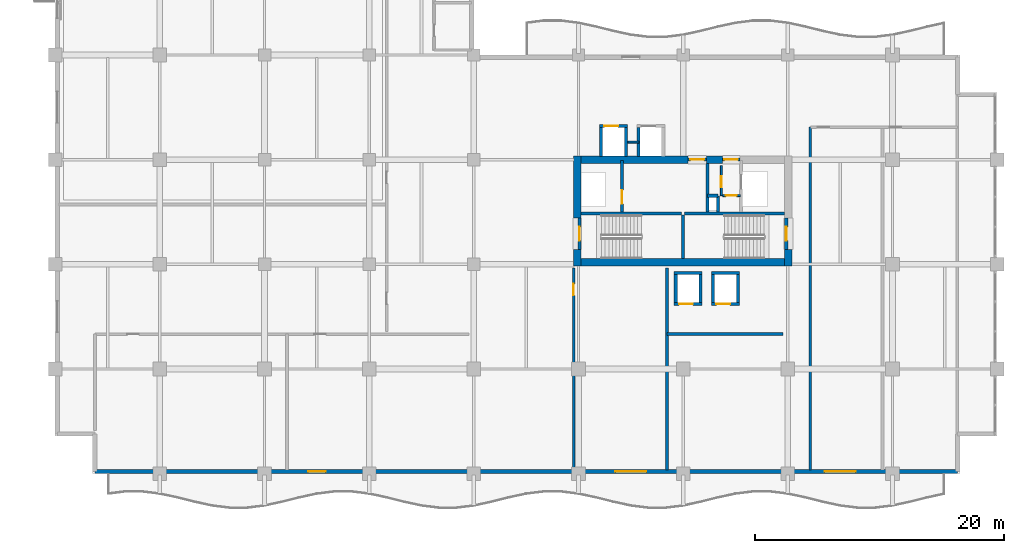
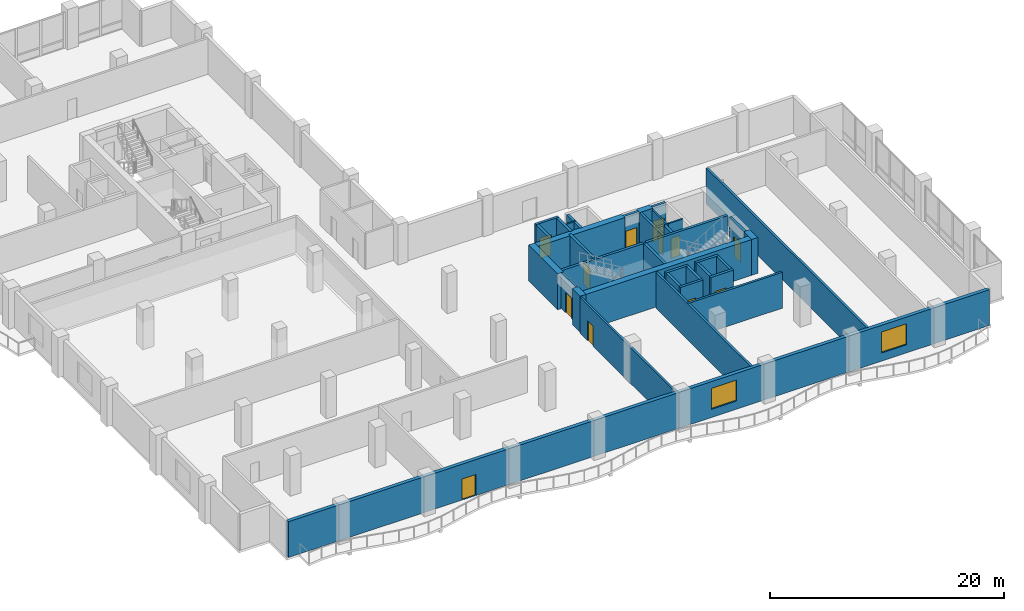
# One storey, part 11 of 21: 37 walls, 12 doors, 2 windows, 14 openings.
"""IFC4 building model written with IfcOpenShell, lengths in metres."""

from ifc_helpers import new_model, si_unit, direction, frame, frame_2d, origin, place, context, subcontext, project, spatial, rectangle, extrude, material, layer, layer_set, type_object, element, fill, save


model = new_model("IFC4")

# Units and contexts
model_context = context("Model", 3, precision=1e-05, world=origin(), true_north=direction((0.0, 1.0)))
body_context = subcontext(model_context, "Body", "Model", "MODEL_VIEW")
ifc_project = project(units=[si_unit("LENGTHUNIT", "METRE"), si_unit("AREAUNIT", "SQUARE_METRE"), si_unit("VOLUMEUNIT", "CUBIC_METRE"), si_unit("PLANEANGLEUNIT", "RADIAN"), si_unit("MASSUNIT", "GRAM", prefix="KILO")], contexts=[model_context])

# Site, building, storey
site_placement = place(None, origin())
site = spatial("IfcSite", under=ifc_project, at=site_placement, CompositionType="ELEMENT")
building_placement = place(site_placement, origin())
building = spatial("IfcBuilding", under=site, at=building_placement, Name="Koriwani Terraces Tower", CompositionType="ELEMENT")
storey_placement = place(building_placement, frame((0.0, 0.0, 224.0)))
storey = spatial("IfcBuildingStorey", under=building, at=storey_placement, Name="L55", CompositionType="ELEMENT", Elevation=224.0)

# Walls
ifc_material_1 = material(Name="Concrete C60/75", Category="concrete")
ifc_layer_1 = layer(ifc_material_1, 0.60009765625, Name="Concrete C60/75")
ifc_layer_set_1 = layer_set([ifc_layer_1], Name="Concrete C60/75")
wall_type_1 = type_object("IfcWallType", Name="WALL_CORE_RC_600", PredefinedType="SHEAR", material=ifc_layer_set_1)
wall_1_placement = place(storey_placement, frame((41.89990234375, 16.64990234375, 0.0), z_axis=(0.0, 0.0, 1.0), x_axis=(0.0, 1.0, 0.0)))
element("IfcWall", 1, at=wall_1_placement, inside=storey, type_object=wall_type_1, Name="L55 East Split Core Shear Wall W1", PredefinedType="SHEAR", context=body_context, shape_type="SweptSolid", body=[
    extrude(rectangle(XDim=1.35009765625, YDim=0.60009765625, at=frame_2d((0.675048828125, 0.0))), origin(), (0.0, 0.0, 1.0), 3.75),
])
wall_2_placement = place(storey_placement, frame((41.89990234375, 20.5, 0.0), z_axis=(0.0, 0.0, 1.0), x_axis=(0.0, 1.0, 0.0)))
element("IfcWall", 2, at=wall_2_placement, inside=storey, type_object=wall_type_1, Name="L55 East Split Core Shear Wall W2", PredefinedType="SHEAR", context=body_context, shape_type="SweptSolid", body=[
    extrude(rectangle(XDim=5.0, YDim=0.60009765625, at=frame_2d((2.5, 0.0))), origin(), (0.0, 0.0, 1.0), 3.75),
])
wall_3_placement = place(storey_placement, frame((58.85009765625, 16.64990234375, 0.0), z_axis=(0.0, 0.0, 1.0), x_axis=(0.0, 1.0, 0.0)))
element("IfcWall", 3, at=wall_3_placement, inside=storey, type_object=wall_type_1, Name="L55 East Split Core Shear Wall E1", PredefinedType="SHEAR", context=body_context, shape_type="SweptSolid", body=[
    extrude(rectangle(XDim=1.35009765625, YDim=0.60009765625, at=frame_2d((0.675048828125, 0.0))), origin(), (0.0, 0.0, 1.0), 3.75),
])
wall_4_placement = place(storey_placement, frame((42.199951171875, 16.949951171875, 0.0), z_axis=(0.0, 0.0, 1.0), x_axis=(1.0, 0.0, 0.0)))
element("IfcWall", 4, at=wall_4_placement, inside=storey, type_object=wall_type_1, Name="L55 East Split Core Shear Wall S1", PredefinedType="SHEAR", context=body_context, shape_type="SweptSolid", body=[
    extrude(rectangle(XDim=16.35009765625, YDim=0.60009765625, at=frame_2d((8.175048828125, 0.0))), origin(), (0.0, 0.0, 1.0), 3.75),
])
wall_5_placement = place(storey_placement, frame((42.199951171875, 25.199951171875, 0.0), z_axis=(0.0, 0.0, 1.0), x_axis=(1.0, 0.0, 0.0)))
element("IfcWall", 5, at=wall_5_placement, inside=storey, type_object=wall_type_1, Name="L55 East Split Core Shear Wall N1", PredefinedType="SHEAR", context=body_context, shape_type="SweptSolid", body=[
    extrude(rectangle(XDim=8.60009765625, YDim=0.60009765625, at=frame_2d((4.300048828125, 0.0))), origin(), (0.0, 0.0, 1.0), 3.75),
])
wall_6_placement = place(storey_placement, frame((52.280029296875, 25.199951171875, 0.0), z_axis=(0.0, 0.0, 1.0), x_axis=(1.0, 0.0, 0.0)))
element("IfcWall", 6, at=wall_6_placement, inside=storey, type_object=wall_type_1, Name="L55 East Split Core Shear Wall N2", PredefinedType="SHEAR", context=body_context, shape_type="SweptSolid", body=[
    extrude(rectangle(XDim=1.27001953125, YDim=0.60009765625, at=frame_2d((0.635009765625, 0.0))), origin(), (0.0, 0.0, 1.0), 3.75),
])

# Wall, opening, door
ifc_material_2 = material(Name="Autoclaved Cellular Concrete Blockwork", Category="masonry")
ifc_layer_2 = layer(ifc_material_2, 0.199951171875, Name="Autoclaved Cellular Concrete Blockwork")
ifc_layer_set_2 = layer_set([ifc_layer_2], Name="Autoclaved Cellular Concrete Blockwork")
wall_type_2 = type_object("IfcWallType", Name="WALL_CORRIDOR_200", PredefinedType="PARTITIONING", material=ifc_layer_set_2)
wall_7_placement = place(storey_placement, frame((41.60009765625, 0.300048828125, 0.0), z_axis=(0.0, 0.0, 1.0), x_axis=(0.0, 1.0, 0.0)))
wall_7 = element("IfcWall", 7, at=wall_7_placement, inside=storey, type_object=wall_type_2, Name="L55 Interior Wall WSKY-RECE1-L55", PredefinedType="PARTITIONING", context=body_context, shape_type="SweptSolid", body=[
    extrude(rectangle(XDim=16.199951171875, YDim=0.199951171875, at=frame_2d((8.10009765625, 0.0))), origin(), (0.0, 0.0, 1.0), 3.75),
])
opening_1_placement = place(wall_7_placement, frame((14.0, 0.0, 0.0)))
opening_1 = element("IfcOpeningElement", 8, at=opening_1_placement, cuts=wall_7, Name="Opening D-06", PredefinedType="OPENING", context=body_context, shape_type="SweptSolid", body=[
    extrude(rectangle(XDim=0.919921875, YDim=2.10009765625, at=frame_2d((0.4599609375, 1.050048828125))), frame((0.0, 0.10986328125, 0.0), z_axis=(0.0, -1.0, 0.0), x_axis=(1.0, 0.0, 0.0)), (0.0, 0.0, 1.0), 0.219970703125),
])
ifc_material_3 = material(Name="Architectural Oak Fire Door", Category="wood")
door_type_1 = type_object("IfcDoorType", Name="DOOR_ROOM_INT_920X2100", OperationType="NOTDEFINED", PredefinedType="DOOR", material=ifc_material_3)
door_1_placement = place(opening_1_placement, origin())
door_1 = element("IfcDoor", 9, at=door_1_placement, inside=storey, type_object=door_type_1, Name="L55 VIP Tasting Salon Door", OperationType="SINGLE_SWING_RIGHT", OverallHeight=2.10009765625, OverallWidth=0.919921875, PredefinedType="DOOR", context=body_context, shape_type="SweptSolid", body=[
    extrude(rectangle(XDim=0.919921875, YDim=2.10009765625, at=frame_2d((0.4599609375, 1.050048828125))), frame((0.0, 0.02490234375, 0.0), z_axis=(0.0, -1.0, 0.0), x_axis=(1.0, 0.0, 0.0)), (0.0, 0.0, 1.0), 0.050048828125),
])
fill(opening_1, door_1)

# Walls
ifc_layer_3 = layer(ifc_material_2, 0.219970703125, Name="Autoclaved Cellular Concrete Blockwork")
ifc_layer_set_3 = layer_set([ifc_layer_3], Name="Autoclaved Cellular Concrete Blockwork")
wall_type_3 = type_object("IfcWallType", Name="WALL_DEMISING_220", PredefinedType="PARTITIONING", material=ifc_layer_set_3)
wall_8_placement = place(storey_placement, frame((49.10009765625, 0.300048828125, 0.0), z_axis=(0.0, 0.0, 1.0), x_axis=(0.0, 1.0, 0.0)))
element("IfcWall", 10, at=wall_8_placement, inside=storey, type_object=wall_type_3, Name="L55 Interior Wall WSKY-RECE2-L55", PredefinedType="PARTITIONING", context=body_context, shape_type="SweptSolid", body=[
    extrude(rectangle(XDim=16.199951171875, YDim=0.219970703125, at=frame_2d((8.10009765625, 0.0))), origin(), (0.0, 0.0, 1.0), 3.75),
])
wall_9_placement = place(storey_placement, frame((49.10009765625, 11.199951171875, 0.0), z_axis=(0.0, 0.0, 1.0), x_axis=(1.0, 0.0, 0.0)))
element("IfcWall", 11, at=wall_9_placement, inside=storey, type_object=wall_type_3, Name="L55 Interior Wall WSKY-RECE3-L55", PredefinedType="PARTITIONING", context=body_context, shape_type="SweptSolid", body=[
    extrude(rectangle(XDim=9.2998046875, YDim=0.219970703125, at=frame_2d((4.64990234375, 0.0))), origin(), (0.0, 0.0, 1.0), 3.75),
])
wall_10_placement = place(storey_placement, frame((60.60009765625, 0.300048828125, 0.0), z_axis=(0.0, 0.0, 1.0), x_axis=(0.0, 1.0, 0.0)))
element("IfcWall", 12, at=wall_10_placement, inside=storey, type_object=wall_type_3, Name="L55 Interior Wall WSKY-EW-L55", PredefinedType="PARTITIONING", context=body_context, shape_type="SweptSolid", body=[
    extrude(rectangle(XDim=27.5, YDim=0.219970703125, at=frame_2d((13.75, 0.0))), origin(), (0.0, 0.0, 1.0), 3.75),
])

# Wall, openings, door, windows
ifc_material_4 = material(Name="Concrete C50/60", Category="concrete")
ifc_layer_4 = layer(ifc_material_4, 0.35009765625, Name="Concrete C50/60")
ifc_layer_set_4 = layer_set([ifc_layer_4], Name="Concrete C50/60")
wall_type_4 = type_object("IfcWallType", Name="WALL_EXT_BRUTALIST_350", PredefinedType="STANDARD", material=ifc_layer_set_4)
wall_11_placement = place(storey_placement, frame((72.425048828125, 0.175048828125, 0.0), z_axis=(0.0, 0.0, 1.0), x_axis=(-1.0, 0.0, 0.0)))
wall_11 = element("IfcWall", 13, at=wall_11_placement, inside=storey, type_object=wall_type_4, Name="L55 Fair-Faced Brutalist Exterior Wall (S)", PredefinedType="STANDARD", context=body_context, shape_type="SweptSolid", body=[
    extrude(rectangle(XDim=69.25, YDim=0.35009765625, at=frame_2d((34.625, 0.0))), origin(), (0.0, 0.0, 1.0), 3.75),
])
opening_2_placement = place(wall_11_placement, frame((50.72509765625, 0.0, 0.0)))
opening_2 = element("IfcOpeningElement", 14, at=opening_2_placement, cuts=wall_11, Name="Opening D-09", PredefinedType="OPENING", context=body_context, shape_type="SweptSolid", body=[
    extrude(rectangle(XDim=1.39990234375, YDim=2.199951171875, at=frame_2d((0.699951171875, 1.10009765625))), frame((0.0, 0.18505859375, 0.0), z_axis=(0.0, -1.0, 0.0), x_axis=(1.0, 0.0, 0.0)), (0.0, 0.0, 1.0), 0.3701171875),
])
opening_3_placement = place(wall_11_placement, frame((24.97509765625, 0.0, 0.85009765625)))
opening_3 = element("IfcOpeningElement", 15, at=opening_3_placement, cuts=wall_11, Name="Opening W-07", PredefinedType="OPENING", context=body_context, shape_type="SweptSolid", body=[
    extrude(rectangle(XDim=2.5, YDim=2.199951171875, at=frame_2d((1.25, 1.10009765625))), frame((0.0, 0.18505859375, 0.0), z_axis=(0.0, -1.0, 0.0), x_axis=(1.0, 0.0, 0.0)), (0.0, 0.0, 1.0), 0.3701171875),
])
opening_4_placement = place(wall_11_placement, frame((8.175048828125, 0.0, 0.85009765625)))
opening_4 = element("IfcOpeningElement", 16, at=opening_4_placement, cuts=wall_11, Name="Opening W-07", PredefinedType="OPENING", context=body_context, shape_type="SweptSolid", body=[
    extrude(rectangle(XDim=2.5, YDim=2.199951171875, at=frame_2d((1.25, 1.10009765625))), frame((0.0, 0.18505859375, 0.0), z_axis=(0.0, -1.0, 0.0), x_axis=(1.0, 0.0, 0.0)), (0.0, 0.0, 1.0), 0.3701171875),
])
ifc_material_5 = material(Name="Anodised Bronze Aluminium", Category="aluminium")
door_type_2 = type_object("IfcDoorType", Name="DOOR_BALCONY_GLAZED_1400X2200", OperationType="NOTDEFINED", PredefinedType="DOOR", material=ifc_material_5)
door_2_placement = place(opening_2_placement, origin())
door_2 = element("IfcDoor", 17, at=door_2_placement, inside=storey, type_object=door_type_2, Name="L55 South Balcony Glazed Door", OperationType="SINGLE_SWING_LEFT", OverallHeight=2.199951171875, OverallWidth=1.39990234375, PredefinedType="DOOR", context=body_context, shape_type="SweptSolid", body=[
    extrude(rectangle(XDim=1.39990234375, YDim=2.199951171875, at=frame_2d((0.699951171875, 1.10009765625))), frame((0.0, 0.02490234375, 0.0), z_axis=(0.0, -1.0, 0.0), x_axis=(1.0, 0.0, 0.0)), (0.0, 0.0, 1.0), 0.050048828125),
])
fill(opening_2, door_2)
ifc_material_6 = material(Name="Tempered Laminated Low-E Glass", Category="glass")
window_type = type_object("IfcWindowType", Name="WIN_SKY_LOUNGE_2500X2200", PartitioningType="SINGLE_PANEL", PredefinedType="WINDOW", material=ifc_material_6)
window_1_placement = place(opening_3_placement, origin())
window_1 = element("IfcWindow", 18, at=window_1_placement, inside=storey, type_object=window_type, Name="L55 Exterior Window (S-15)", OverallHeight=2.199951171875, OverallWidth=2.5, PartitioningType="SINGLE_PANEL", PredefinedType="WINDOW", context=body_context, shape_type="SweptSolid", body=[
    extrude(rectangle(XDim=2.5, YDim=2.199951171875, at=frame_2d((1.25, 1.10009765625))), frame((0.0, 0.030029296875, 0.0), z_axis=(0.0, -1.0, 0.0), x_axis=(1.0, 0.0, 0.0)), (0.0, 0.0, 1.0), 0.06005859375),
])
fill(opening_3, window_1)
window_2_placement = place(opening_4_placement, origin())
window_2 = element("IfcWindow", 19, at=window_2_placement, inside=storey, type_object=window_type, Name="L55 Exterior Window (S-21)", OverallHeight=2.199951171875, OverallWidth=2.5, PartitioningType="SINGLE_PANEL", PredefinedType="WINDOW", context=body_context, shape_type="SweptSolid", body=[
    extrude(rectangle(XDim=2.5, YDim=2.199951171875, at=frame_2d((1.25, 1.10009765625))), frame((0.0, 0.030029296875, 0.0), z_axis=(0.0, -1.0, 0.0), x_axis=(1.0, 0.0, 0.0)), (0.0, 0.0, 1.0), 0.06005859375),
])
fill(opening_4, window_2)

# Walls
ifc_material_7 = material(Name="Concrete C40/50", Category="concrete")
ifc_layer_5 = layer(ifc_material_7, 0.25, Name="Concrete C40/50")
ifc_layer_set_5 = layer_set([ifc_layer_5], Name="Concrete C40/50")
wall_type_5 = type_object("IfcWallType", Name="WALL_SHAFT_RATED_250", PredefinedType="SOLIDWALL", material=ifc_layer_set_5)
for number, where, z_axis, x_axis, name in (
    (20, (42.199951171875, 20.875, 0.0), (0.0, 0.0, 1.0), (1.0, 0.0, 0.0), "L55 East Split Core Web Wall MID1"),
    (21, (50.5, 20.875, 0.0), (0.0, 0.0, 1.0), (1.0, 0.0, 0.0), "L55 East Split Core Web Wall MID2"),
):
    element("IfcWall", number, at=place(storey_placement, frame(where, z_axis=z_axis, x_axis=x_axis)), inside=storey, type_object=wall_type_5, Name=name, PredefinedType="SOLIDWALL", context=body_context, shape_type="SweptSolid", body=[
        extrude(rectangle(XDim=8.050048828125, YDim=0.25, at=frame_2d((4.02490234375, 0.0))), origin(), (0.0, 0.0, 1.0), 3.75),
    ])
wall_12_placement = place(storey_placement, frame((50.375, 17.25, 0.0), z_axis=(0.0, 0.0, 1.0), x_axis=(0.0, 1.0, 0.0)))
element("IfcWall", 22, at=wall_12_placement, inside=storey, type_object=wall_type_5, Name="L55 East Split Core Stair Dividing Wall", PredefinedType="SOLIDWALL", context=body_context, shape_type="SweptSolid", body=[
    extrude(rectangle(XDim=3.5, YDim=0.25, at=frame_2d((1.75, 0.0))), origin(), (0.0, 0.0, 1.0), 3.75),
])

# Wall, opening, door
wall_13_placement = place(storey_placement, frame((42.074951171875, 18.0, 0.0), z_axis=(0.0, 0.0, 1.0), x_axis=(0.0, 1.0, 0.0)))
wall_13 = element("IfcWall", 23, at=wall_13_placement, inside=storey, type_object=wall_type_5, Name="L55 Interior Wall WIN-CE-L55-STW", PredefinedType="SOLIDWALL", context=body_context, shape_type="SweptSolid", body=[
    extrude(rectangle(XDim=2.5, YDim=0.25, at=frame_2d((1.25, 0.0))), origin(), (0.0, 0.0, 1.0), 3.75),
])
opening_5_placement = place(wall_13_placement, frame((0.699951171875, 0.0, 0.0)))
opening_5 = element("IfcOpeningElement", 24, at=opening_5_placement, cuts=wall_13, Name="Opening D-03", PredefinedType="OPENING", context=body_context, shape_type="SweptSolid", body=[
    extrude(rectangle(XDim=1.10009765625, YDim=2.14990234375, at=frame_2d((0.550048828125, 1.074951171875))), frame((0.0, 0.135009765625, 0.0), z_axis=(0.0, -1.0, 0.0), x_axis=(1.0, 0.0, 0.0)), (0.0, 0.0, 1.0), 0.27001953125),
])
ifc_material_8 = material(Name="Steel ASTM A572 Grade 50", Category="steel")
door_type_3 = type_object("IfcDoorType", Name="DOOR_STAIR_FIRE_1100X2150", OperationType="NOTDEFINED", PredefinedType="DOOR", material=ifc_material_8)
door_3_placement = place(opening_5_placement, origin())
door_3 = element("IfcDoor", 25, at=door_3_placement, inside=storey, type_object=door_type_3, Name="L55 Exit Stair ST-E1 Door", OperationType="SINGLE_SWING_LEFT", OverallHeight=2.14990234375, OverallWidth=1.10009765625, PredefinedType="DOOR", context=body_context, shape_type="SweptSolid", body=[
    extrude(rectangle(XDim=1.10009765625, YDim=2.14990234375, at=frame_2d((0.550048828125, 1.074951171875))), frame((0.0, 0.02490234375, 0.0), z_axis=(0.0, -1.0, 0.0), x_axis=(1.0, 0.0, 0.0)), (0.0, 0.0, 1.0), 0.050048828125),
])
fill(opening_5, door_3)

wall_14_placement = place(storey_placement, frame((58.675048828125, 18.0, 0.0), z_axis=(0.0, 0.0, 1.0), x_axis=(0.0, 1.0, 0.0)))
wall_14 = element("IfcWall", 26, at=wall_14_placement, inside=storey, type_object=wall_type_5, Name="L55 Interior Wall WIN-CE-L55-STE", PredefinedType="SOLIDWALL", context=body_context, shape_type="SweptSolid", body=[
    extrude(rectangle(XDim=2.5, YDim=0.25, at=frame_2d((1.25, 0.0))), origin(), (0.0, 0.0, 1.0), 3.75),
])
opening_6_placement = place(wall_14_placement, frame((0.699951171875, 0.0, 0.0)))
opening_6 = element("IfcOpeningElement", 27, at=opening_6_placement, cuts=wall_14, Name="Opening D-03", PredefinedType="OPENING", context=body_context, shape_type="SweptSolid", body=[
    extrude(rectangle(XDim=1.10009765625, YDim=2.14990234375, at=frame_2d((0.550048828125, 1.074951171875))), frame((0.0, 0.135009765625, 0.0), z_axis=(0.0, -1.0, 0.0), x_axis=(1.0, 0.0, 0.0)), (0.0, 0.0, 1.0), 0.27001953125),
])
door_4_placement = place(opening_6_placement, origin())
door_4 = element("IfcDoor", 28, at=door_4_placement, inside=storey, type_object=door_type_3, Name="L55 Exit Stair ST-E2 Door", OperationType="SINGLE_SWING_RIGHT", OverallHeight=2.14990234375, OverallWidth=1.10009765625, PredefinedType="DOOR", context=body_context, shape_type="SweptSolid", body=[
    extrude(rectangle(XDim=1.10009765625, YDim=2.14990234375, at=frame_2d((0.550048828125, 1.074951171875))), frame((0.0, 0.02490234375, 0.0), z_axis=(0.0, -1.0, 0.0), x_axis=(1.0, 0.0, 0.0)), (0.0, 0.0, 1.0), 0.050048828125),
])
fill(opening_6, door_4)

wall_15_placement = place(storey_placement, frame((45.5, 21.0, 0.0), z_axis=(0.0, 0.0, 1.0), x_axis=(0.0, 1.0, 0.0)))
wall_15 = element("IfcWall", 29, at=wall_15_placement, inside=storey, type_object=wall_type_5, Name="L55 Interior Wall WIN-CE-L55-FE", PredefinedType="SOLIDWALL", context=body_context, shape_type="SweptSolid", body=[
    extrude(rectangle(XDim=4.14990234375, YDim=0.25, at=frame_2d((2.074951171875, 0.0))), origin(), (0.0, 0.0, 1.0), 3.75),
])
opening_7_placement = place(wall_15_placement, frame((0.64990234375, 0.0, 0.0)))
opening_7 = element("IfcOpeningElement", 30, at=opening_7_placement, cuts=wall_15, Name="Opening LD-01", PredefinedType="OPENING", context=body_context, shape_type="SweptSolid", body=[
    extrude(rectangle(XDim=1.10009765625, YDim=2.14990234375, at=frame_2d((0.550048828125, 1.074951171875))), frame((0.0, 0.135009765625, 0.0), z_axis=(0.0, -1.0, 0.0), x_axis=(1.0, 0.0, 0.0)), (0.0, 0.0, 1.0), 0.27001953125),
])
door_type_4 = type_object("IfcDoorType", Name="DOOR_LIFT_LANDING_1100X2200", OperationType="NOTDEFINED", PredefinedType="DOOR", material=ifc_material_8)
door_5_placement = place(opening_7_placement, origin())
door_5 = element("IfcDoor", 31, at=door_5_placement, inside=storey, type_object=door_type_4, Name="L55 Firefighting Lift FE-02 Landing Door", OperationType="SLIDING_TO_LEFT", OverallHeight=2.14990234375, OverallWidth=1.10009765625, PredefinedType="DOOR", context=body_context, shape_type="SweptSolid", body=[
    extrude(rectangle(XDim=1.10009765625, YDim=2.14990234375, at=frame_2d((0.550048828125, 1.074951171875))), frame((0.0, 0.02490234375, 0.0), z_axis=(0.0, -1.0, 0.0), x_axis=(1.0, 0.0, 0.0)), (0.0, 0.0, 1.0), 0.050048828125),
])
fill(opening_7, door_5)

wall_16_placement = place(storey_placement, frame((50.800048828125, 25.199951171875, 0.0), z_axis=(0.0, 0.0, 1.0), x_axis=(1.0, 0.0, 0.0)))
wall_16 = element("IfcWall", 32, at=wall_16_placement, inside=storey, type_object=wall_type_5, Name="L55 Interior Wall WIN-CE-L55-NP", PredefinedType="SOLIDWALL", context=body_context, shape_type="SweptSolid", body=[
    extrude(rectangle(XDim=1.47998046875, YDim=0.25, at=frame_2d((0.739990234375, 0.0))), origin(), (0.0, 0.0, 1.0), 3.75),
])
opening_8_placement = place(wall_16_placement, frame((0.179931640625, 0.0, 0.0)))
opening_8 = element("IfcOpeningElement", 33, at=opening_8_placement, cuts=wall_16, Name="Opening D-03", PredefinedType="OPENING", context=body_context, shape_type="SweptSolid", body=[
    extrude(rectangle(XDim=1.10009765625, YDim=2.14990234375, at=frame_2d((0.550048828125, 1.074951171875))), frame((0.0, 0.135009765625, 0.0), z_axis=(0.0, -1.0, 0.0), x_axis=(1.0, 0.0, 0.0)), (0.0, 0.0, 1.0), 0.27001953125),
])
door_6_placement = place(opening_8_placement, origin())
door_6 = element("IfcDoor", 34, at=door_6_placement, inside=storey, type_object=door_type_3, Name="L55 East Firefighting Lobby Door", OperationType="SINGLE_SWING_LEFT", OverallHeight=2.14990234375, OverallWidth=1.10009765625, PredefinedType="DOOR", context=body_context, shape_type="SweptSolid", body=[
    extrude(rectangle(XDim=1.10009765625, YDim=2.14990234375, at=frame_2d((0.550048828125, 1.074951171875))), frame((0.0, 0.02490234375, 0.0), z_axis=(0.0, -1.0, 0.0), x_axis=(1.0, 0.0, 0.0)), (0.0, 0.0, 1.0), 0.050048828125),
])
fill(opening_8, door_6)

# Wall
wall_17_placement = place(storey_placement, frame((52.340087890625, 21.0, 0.0), z_axis=(0.0, 0.0, 1.0), x_axis=(0.0, 1.0, 0.0)))
element("IfcWall", 35, at=wall_17_placement, inside=storey, type_object=wall_type_5, Name="L55 Interior Wall WIN-CE-L55-FFE", PredefinedType="SOLIDWALL", context=body_context, shape_type="SweptSolid", body=[
    extrude(rectangle(XDim=3.89990234375, YDim=0.25, at=frame_2d((1.949951171875, 0.0))), origin(), (0.0, 0.0, 1.0), 3.75),
])

# Wall, opening, door
wall_18_placement = place(storey_placement, frame((53.550048828125, 25.199951171875, 0.0), z_axis=(0.0, 0.0, 1.0), x_axis=(1.0, 0.0, 0.0)))
wall_18 = element("IfcWall", 36, at=wall_18_placement, inside=storey, type_object=wall_type_5, Name="L55 Interior Wall WIN-CE-L55-NP2", PredefinedType="SOLIDWALL", context=body_context, shape_type="SweptSolid", body=[
    extrude(rectangle(XDim=1.39990234375, YDim=0.25, at=frame_2d((0.699951171875, 0.0))), origin(), (0.0, 0.0, 1.0), 3.75),
])
opening_9_placement = place(wall_18_placement, frame((0.14990234375, 0.0, 0.0)))
opening_9 = element("IfcOpeningElement", 37, at=opening_9_placement, cuts=wall_18, Name="Opening D-03", PredefinedType="OPENING", context=body_context, shape_type="SweptSolid", body=[
    extrude(rectangle(XDim=1.10009765625, YDim=2.14990234375, at=frame_2d((0.550048828125, 1.074951171875))), frame((0.0, 0.135009765625, 0.0), z_axis=(0.0, -1.0, 0.0), x_axis=(1.0, 0.0, 0.0)), (0.0, 0.0, 1.0), 0.27001953125),
])
door_7_placement = place(opening_9_placement, origin())
door_7 = element("IfcDoor", 38, at=door_7_placement, inside=storey, type_object=door_type_3, Name="L55 East Goods Lift Lobby Door", OperationType="SINGLE_SWING_RIGHT", OverallHeight=2.14990234375, OverallWidth=1.10009765625, PredefinedType="DOOR", context=body_context, shape_type="SweptSolid", body=[
    extrude(rectangle(XDim=1.10009765625, YDim=2.14990234375, at=frame_2d((0.550048828125, 1.074951171875))), frame((0.0, 0.02490234375, 0.0), z_axis=(0.0, -1.0, 0.0), x_axis=(1.0, 0.0, 0.0)), (0.0, 0.0, 1.0), 0.050048828125),
])
fill(opening_9, door_7)

# Walls
wall_19_placement = place(storey_placement, frame((53.199951171875, 21.0, 0.0), z_axis=(0.0, 0.0, 1.0), x_axis=(0.0, 1.0, 0.0)))
element("IfcWall", 39, at=wall_19_placement, inside=storey, type_object=wall_type_5, Name="L55 Interior Wall WIN-CE-L55-RS1", PredefinedType="SOLIDWALL", context=body_context, shape_type="SweptSolid", body=[
    extrude(rectangle(XDim=1.300048828125, YDim=0.25, at=frame_2d((0.64990234375, 0.0))), origin(), (0.0, 0.0, 1.0), 3.75),
])
wall_20_placement = place(storey_placement, frame((52.360107421875, 22.300048828125, 0.0), z_axis=(0.0, 0.0, 1.0), x_axis=(1.0, 0.0, 0.0)))
element("IfcWall", 40, at=wall_20_placement, inside=storey, type_object=wall_type_5, Name="L55 Interior Wall WIN-CE-L55-RS2", PredefinedType="SOLIDWALL", context=body_context, shape_type="SweptSolid", body=[
    extrude(rectangle(XDim=0.83984375, YDim=0.25, at=frame_2d((0.419921875, 0.0))), origin(), (0.0, 0.0, 1.0), 3.75),
])

# Wall, opening, door
wall_21_placement = place(storey_placement, frame((49.675048828125, 13.60009765625, 0.0), z_axis=(0.0, 0.0, 1.0), x_axis=(1.0, 0.0, 0.0)))
wall_21 = element("IfcWall", 41, at=wall_21_placement, inside=storey, type_object=wall_type_5, Name="L55 Interior Wall WIN-LF-PE-M3-L55-F", PredefinedType="SOLIDWALL", context=body_context, shape_type="SweptSolid", body=[
    extrude(rectangle(XDim=2.25, YDim=0.25, at=frame_2d((1.125, 0.0))), origin(), (0.0, 0.0, 1.0), 3.75),
])
opening_10_placement = place(wall_21_placement, frame((0.39990234375, 0.0, 0.0)))
opening_10 = element("IfcOpeningElement", 42, at=opening_10_placement, cuts=wall_21, Name="Opening LD-01", PredefinedType="OPENING", context=body_context, shape_type="SweptSolid", body=[
    extrude(rectangle(XDim=1.10009765625, YDim=2.14990234375, at=frame_2d((0.550048828125, 1.074951171875))), frame((0.0, 0.135009765625, 0.0), z_axis=(0.0, -1.0, 0.0), x_axis=(1.0, 0.0, 0.0)), (0.0, 0.0, 1.0), 0.27001953125),
])
door_8_placement = place(opening_10_placement, origin())
door_8 = element("IfcDoor", 43, at=door_8_placement, inside=storey, type_object=door_type_4, Name="L55 Passenger Lift PE-M3 Landing Door", OperationType="SLIDING_TO_LEFT", OverallHeight=2.14990234375, OverallWidth=1.10009765625, PredefinedType="DOOR", context=body_context, shape_type="SweptSolid", body=[
    extrude(rectangle(XDim=1.10009765625, YDim=2.14990234375, at=frame_2d((0.550048828125, 1.074951171875))), frame((0.0, 0.02490234375, 0.0), z_axis=(0.0, -1.0, 0.0), x_axis=(1.0, 0.0, 0.0)), (0.0, 0.0, 1.0), 0.050048828125),
])
fill(opening_10, door_8)

# Walls
for number, where, z_axis, x_axis, name in (
    (44, (49.675048828125, 16.10009765625, 0.0), (0.0, 0.0, 1.0), (1.0, 0.0, 0.0), "L55 Interior Wall WIN-LF-PE-M3-L55-B"),
    (45, (49.800048828125, 13.72509765625, 0.0), (0.0, 0.0, 1.0), (0.0, 1.0, 0.0), "L55 Interior Wall WIN-LF-PE-M3-L55-W"),
    (46, (51.800048828125, 13.72509765625, 0.0), (0.0, 0.0, 1.0), (0.0, 1.0, 0.0), "L55 Interior Wall WIN-LF-PE-M3-L55-E"),
):
    element("IfcWall", number, at=place(storey_placement, frame(where, z_axis=z_axis, x_axis=x_axis)), inside=storey, type_object=wall_type_5, Name=name, PredefinedType="SOLIDWALL", context=body_context, shape_type="SweptSolid", body=[
        extrude(rectangle(XDim=2.25, YDim=0.25, at=frame_2d((1.125, 0.0))), origin(), (0.0, 0.0, 1.0), 3.75),
    ])

# Wall, opening, door
wall_22_placement = place(storey_placement, frame((52.675048828125, 13.60009765625, 0.0), z_axis=(0.0, 0.0, 1.0), x_axis=(1.0, 0.0, 0.0)))
wall_22 = element("IfcWall", 47, at=wall_22_placement, inside=storey, type_object=wall_type_5, Name="L55 Interior Wall WIN-LF-PE-M4-L55-F", PredefinedType="SOLIDWALL", context=body_context, shape_type="SweptSolid", body=[
    extrude(rectangle(XDim=2.25, YDim=0.25, at=frame_2d((1.125, 0.0))), origin(), (0.0, 0.0, 1.0), 3.75),
])
opening_11_placement = place(wall_22_placement, frame((0.39990234375, 0.0, 0.0)))
opening_11 = element("IfcOpeningElement", 48, at=opening_11_placement, cuts=wall_22, Name="Opening LD-01", PredefinedType="OPENING", context=body_context, shape_type="SweptSolid", body=[
    extrude(rectangle(XDim=1.10009765625, YDim=2.14990234375, at=frame_2d((0.550048828125, 1.074951171875))), frame((0.0, 0.135009765625, 0.0), z_axis=(0.0, -1.0, 0.0), x_axis=(1.0, 0.0, 0.0)), (0.0, 0.0, 1.0), 0.27001953125),
])
door_9_placement = place(opening_11_placement, origin())
door_9 = element("IfcDoor", 49, at=door_9_placement, inside=storey, type_object=door_type_4, Name="L55 Passenger Lift PE-M4 Landing Door", OperationType="SLIDING_TO_LEFT", OverallHeight=2.14990234375, OverallWidth=1.10009765625, PredefinedType="DOOR", context=body_context, shape_type="SweptSolid", body=[
    extrude(rectangle(XDim=1.10009765625, YDim=2.14990234375, at=frame_2d((0.550048828125, 1.074951171875))), frame((0.0, 0.02490234375, 0.0), z_axis=(0.0, -1.0, 0.0), x_axis=(1.0, 0.0, 0.0)), (0.0, 0.0, 1.0), 0.050048828125),
])
fill(opening_11, door_9)

# Walls
for number, where, z_axis, x_axis, name in (
    (50, (52.675048828125, 16.10009765625, 0.0), (0.0, 0.0, 1.0), (1.0, 0.0, 0.0), "L55 Interior Wall WIN-LF-PE-M4-L55-B"),
    (51, (52.800048828125, 13.72509765625, 0.0), (0.0, 0.0, 1.0), (0.0, 1.0, 0.0), "L55 Interior Wall WIN-LF-PE-M4-L55-W"),
    (52, (54.800048828125, 13.72509765625, 0.0), (0.0, 0.0, 1.0), (0.0, 1.0, 0.0), "L55 Interior Wall WIN-LF-PE-M4-L55-E"),
):
    element("IfcWall", number, at=place(storey_placement, frame(where, z_axis=z_axis, x_axis=x_axis)), inside=storey, type_object=wall_type_5, Name=name, PredefinedType="SOLIDWALL", context=body_context, shape_type="SweptSolid", body=[
        extrude(rectangle(XDim=2.25, YDim=0.25, at=frame_2d((1.125, 0.0))), origin(), (0.0, 0.0, 1.0), 3.75),
    ])

# Wall, opening, door
wall_23_placement = place(storey_placement, frame((43.675048828125, 27.89990234375, 0.0), z_axis=(0.0, 0.0, 1.0), x_axis=(1.0, 0.0, 0.0)))
wall_23 = element("IfcWall", 53, at=wall_23_placement, inside=storey, type_object=wall_type_5, Name="L55 Interior Wall WIN-LF-PE-H3-L55-F", PredefinedType="SOLIDWALL", context=body_context, shape_type="SweptSolid", body=[
    extrude(rectangle(XDim=2.25, YDim=0.25, at=frame_2d((1.125, 0.0))), origin(), (0.0, 0.0, 1.0), 3.75),
])
opening_12_placement = place(wall_23_placement, frame((0.39990234375, 0.0, 0.0)))
opening_12 = element("IfcOpeningElement", 54, at=opening_12_placement, cuts=wall_23, Name="Opening LD-01", PredefinedType="OPENING", context=body_context, shape_type="SweptSolid", body=[
    extrude(rectangle(XDim=1.10009765625, YDim=2.14990234375, at=frame_2d((0.550048828125, 1.074951171875))), frame((0.0, 0.135009765625, 0.0), z_axis=(0.0, -1.0, 0.0), x_axis=(1.0, 0.0, 0.0)), (0.0, 0.0, 1.0), 0.27001953125),
])
door_10_placement = place(opening_12_placement, origin())
door_10 = element("IfcDoor", 55, at=door_10_placement, inside=storey, type_object=door_type_4, Name="L55 Passenger Lift PE-H3 Landing Door", OperationType="SLIDING_TO_LEFT", OverallHeight=2.14990234375, OverallWidth=1.10009765625, PredefinedType="DOOR", context=body_context, shape_type="SweptSolid", body=[
    extrude(rectangle(XDim=1.10009765625, YDim=2.14990234375, at=frame_2d((0.550048828125, 1.074951171875))), frame((0.0, 0.02490234375, 0.0), z_axis=(0.0, -1.0, 0.0), x_axis=(1.0, 0.0, 0.0)), (0.0, 0.0, 1.0), 0.050048828125),
])
fill(opening_12, door_10)

# Walls
for number, where, z_axis, x_axis, name in (
    (56, (43.800048828125, 25.449951171875, 0.0), (0.0, 0.0, 1.0), (0.0, 1.0, 0.0), "L55 Interior Wall WIN-LF-PE-H3-L55-W"),
    (57, (45.800048828125, 25.449951171875, 0.0), (0.0, 0.0, 1.0), (0.0, 1.0, 0.0), "L55 Interior Wall WIN-LF-PE-H3-L55-E"),
    (58, (46.800048828125, 25.449951171875, 0.0), (0.0, 0.0, 1.0), (0.0, 1.0, 0.0), "L55 Interior Wall WIN-LF-PE-H4-L55-W"),
):
    element("IfcWall", number, at=place(storey_placement, frame(where, z_axis=z_axis, x_axis=x_axis)), inside=storey, type_object=wall_type_5, Name=name, PredefinedType="SOLIDWALL", context=body_context, shape_type="SweptSolid", body=[
        extrude(rectangle(XDim=2.324951171875, YDim=0.25, at=frame_2d((1.16259765625, 0.0))), origin(), (0.0, 0.0, 1.0), 3.75),
    ])

# Wall, opening, door
ifc_material_9 = material(Name="Fire-Rated Acoustic Gypsum Partition", Category="masonry")
ifc_layer_6 = layer(ifc_material_9, 0.159912109375, Name="Fire-Rated Acoustic Gypsum Partition")
ifc_layer_set_6 = layer_set([ifc_layer_6], Name="Fire-Rated Acoustic Gypsum Partition")
wall_type_6 = type_object("IfcWallType", Name="WALL_SUITE_160", PredefinedType="PARTITIONING", material=ifc_layer_set_6)
wall_24_placement = place(storey_placement, frame((53.56005859375, 22.320068359375, 0.0), z_axis=(0.0, 0.0, 1.0), x_axis=(1.0, 0.0, 0.0)))
wall_24 = element("IfcWall", 59, at=wall_24_placement, inside=storey, type_object=wall_type_6, Name="L55 Interior Wall WIN-CE-L55-SV1A", PredefinedType="PARTITIONING", context=body_context, shape_type="SweptSolid", body=[
    extrude(rectangle(XDim=1.43994140625, YDim=0.159912109375, at=frame_2d((0.719970703125, 0.0))), origin(), (0.0, 0.0, 1.0), 3.75),
])
opening_13_placement = place(wall_24_placement, frame((0.260009765625, 0.0, 0.0)))
opening_13 = element("IfcOpeningElement", 60, at=opening_13_placement, cuts=wall_24, Name="Opening D-07", PredefinedType="OPENING", context=body_context, shape_type="SweptSolid", body=[
    extrude(rectangle(XDim=0.89990234375, YDim=2.10009765625, at=frame_2d((0.449951171875, 1.050048828125))), frame((0.0, 0.08984375, 0.0), z_axis=(0.0, -1.0, 0.0), x_axis=(1.0, 0.0, 0.0)), (0.0, 0.0, 1.0), 0.179931640625),
])
door_type_5 = type_object("IfcDoorType", Name="DOOR_BATH_INT_900X2100", OperationType="NOTDEFINED", PredefinedType="DOOR", material=ifc_material_3)
door_11_placement = place(opening_13_placement, origin())
door_11 = element("IfcDoor", 61, at=door_11_placement, inside=storey, type_object=door_type_5, Name="L55 East Telecom Room Door", OperationType="SINGLE_SWING_LEFT", OverallHeight=2.10009765625, OverallWidth=0.89990234375, PredefinedType="DOOR", context=body_context, shape_type="SweptSolid", body=[
    extrude(rectangle(XDim=0.89990234375, YDim=2.10009765625, at=frame_2d((0.449951171875, 1.050048828125))), frame((0.0, 0.02490234375, 0.0), z_axis=(0.0, -1.0, 0.0), x_axis=(1.0, 0.0, 0.0)), (0.0, 0.0, 1.0), 0.050048828125),
])
fill(opening_13, door_11)

wall_25_placement = place(storey_placement, frame((53.4599609375, 22.320068359375, 0.0), z_axis=(0.0, 0.0, 1.0), x_axis=(0.0, 1.0, 0.0)))
wall_25 = element("IfcWall", 62, at=wall_25_placement, inside=storey, type_object=wall_type_6, Name="L55 Interior Wall WIN-CE-L55-SV1B", PredefinedType="PARTITIONING", context=body_context, shape_type="SweptSolid", body=[
    extrude(rectangle(XDim=2.39990234375, YDim=0.159912109375, at=frame_2d((1.199951171875, 0.0))), origin(), (0.0, 0.0, 1.0), 3.75),
])
opening_14_placement = place(wall_25_placement, frame((0.64990234375, 0.0, 0.0)))
opening_14 = element("IfcOpeningElement", 63, at=opening_14_placement, cuts=wall_25, Name="Opening D-07", PredefinedType="OPENING", context=body_context, shape_type="SweptSolid", body=[
    extrude(rectangle(XDim=0.89990234375, YDim=2.10009765625, at=frame_2d((0.449951171875, 1.050048828125))), frame((0.0, 0.08984375, 0.0), z_axis=(0.0, -1.0, 0.0), x_axis=(1.0, 0.0, 0.0)), (0.0, 0.0, 1.0), 0.179931640625),
])
door_12_placement = place(opening_14_placement, origin())
door_12 = element("IfcDoor", 64, at=door_12_placement, inside=storey, type_object=door_type_5, Name="L55 East Cleaners Closet Door", OperationType="SINGLE_SWING_RIGHT", OverallHeight=2.10009765625, OverallWidth=0.89990234375, PredefinedType="DOOR", context=body_context, shape_type="SweptSolid", body=[
    extrude(rectangle(XDim=0.89990234375, YDim=2.10009765625, at=frame_2d((0.449951171875, 1.050048828125))), frame((0.0, 0.02490234375, 0.0), z_axis=(0.0, -1.0, 0.0), x_axis=(1.0, 0.0, 0.0)), (0.0, 0.0, 1.0), 0.050048828125),
])
fill(opening_14, door_12)

# Wall
wall_26_placement = place(storey_placement, frame((45.9599609375, 26.60009765625, 0.0), z_axis=(0.0, 0.0, 1.0), x_axis=(1.0, 0.0, 0.0)))
element("IfcWall", 65, at=wall_26_placement, inside=storey, type_object=wall_type_6, Name="L55 Interior Wall WIN-LF-PEH34-MID-L55", PredefinedType="PARTITIONING", context=body_context, shape_type="SweptSolid", body=[
    extrude(rectangle(XDim=0.880126953125, YDim=0.159912109375, at=frame_2d((0.43994140625, 0.0))), origin(), (0.0, 0.0, 1.0), 3.75),
])

save(model, "model.ifc")
